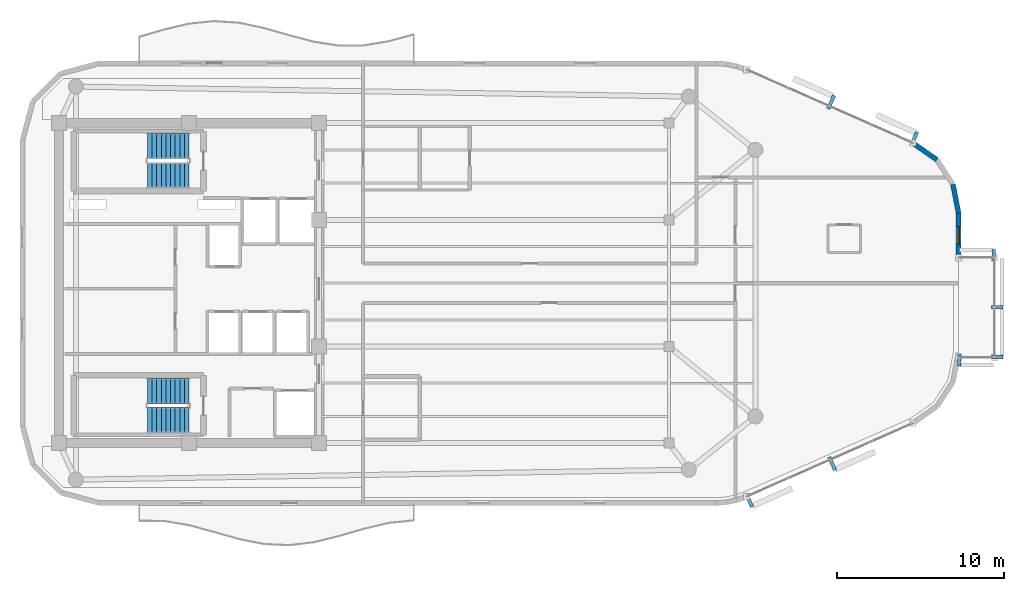
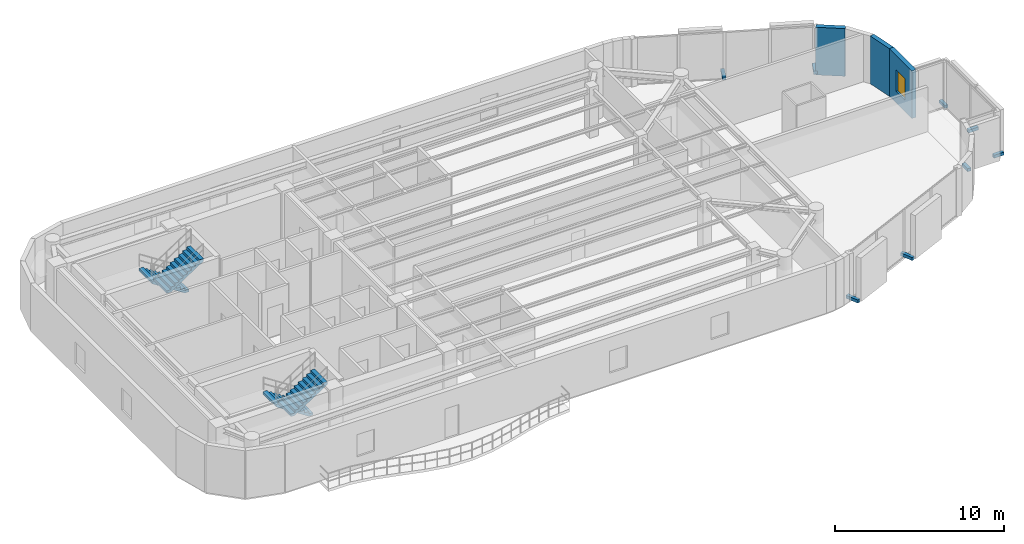
# One storey, part 11 of 13: 8 discrete accessories, 4 stair flights, 3 walls, 1 window, 1 opening, 2 elements without a shape of their own.
"""IFC4 building model written with IfcOpenShell, lengths in metres."""

from ifc_helpers import new_model, si_unit, direction, frame, frame_2d, origin, origin_2d, place, context, subcontext, project, spatial, polyline, rectangle, outline, extrude, material, layer, layer_set, type_object, element, fill, aggregate, save


model = new_model("IFC4")

# Units and contexts
model_context = context("Model", 3, precision=1e-05, world=origin(), true_north=direction((0.0, 1.0)))
body_context = subcontext(model_context, "Body", "Model", "MODEL_VIEW")
ifc_project = project(units=[si_unit("LENGTHUNIT", "METRE"), si_unit("AREAUNIT", "SQUARE_METRE"), si_unit("VOLUMEUNIT", "CUBIC_METRE"), si_unit("PLANEANGLEUNIT", "RADIAN"), si_unit("MASSUNIT", "GRAM", prefix="KILO")], contexts=[model_context])

# Site, building, storey
site_placement = place(None, origin())
site = spatial("IfcSite", under=ifc_project, at=site_placement, CompositionType="ELEMENT")
building_placement = place(site_placement, origin())
building = spatial("IfcBuilding", under=site, at=building_placement, Name="An Khanh Terracotta Commons", CompositionType="ELEMENT")
storey_placement = place(building_placement, frame((0.0, 0.0, 288.0)))
storey = spatial("IfcBuildingStorey", under=building, at=storey_placement, Name="L75", CompositionType="ELEMENT", Elevation=288.0)

# Wall, opening, window
ifc_material_1 = material(Name="Precast concrete C40/50", Category="concrete")
ifc_layer = layer(ifc_material_1, 0.300048828125, Name="Precast concrete C40/50")
ifc_layer_set = layer_set([ifc_layer], Name="Precast concrete C40/50")
wall_type = type_object("IfcWallType", Name="WALL-EXT-300", PredefinedType="SOLIDWALL", material=ifc_layer_set)
wall_1_placement = place(storey_placement, frame((75.60009765625, 25.530029296875, 0.0), z_axis=(0.0, 0.0, 1.0), x_axis=(0.0, 1.0, 0.0)))
wall_1 = element("IfcWall", 1, at=wall_1_placement, inside=storey, type_object=wall_type, Name="L75 East Nose Wall North", PredefinedType="SOLIDWALL", context=body_context, shape_type="SweptSolid", body=[
    extrude(rectangle(XDim=2.671875, YDim=0.300048828125, at=frame_2d((1.3359375, 0.0))), origin(), (0.0, 0.0, 1.0), 3.449951171875),
])
opening_placement = place(wall_1_placement, frame((0.81103515625, 0.0, 0.85009765625)))
opening = element("IfcOpeningElement", 2, at=opening_placement, cuts=wall_1, Name="Opening W-06", PredefinedType="OPENING", context=body_context, shape_type="SweptSolid", body=[
    extrude(rectangle(XDim=1.050048828125, YDim=1.550048828125, at=frame_2d((0.52490234375, 0.77490234375))), frame((0.0, 0.159912109375, 0.0), z_axis=(0.0, -1.0, 0.0), x_axis=(1.0, 0.0, 0.0)), (0.0, 0.0, 1.0), 0.320068359375),
])
ifc_material_2 = material(Name="Thermally Broken Aluminium and Low-E Glass", Category="aluminium")
window_type = type_object("IfcWindowType", Name="WIN-COR-1050x1550", PartitioningType="SINGLE_PANEL", PredefinedType="WINDOW", material=ifc_material_2)
window_placement = place(opening_placement, origin())
window = element("IfcWindow", 3, at=window_placement, inside=storey, type_object=window_type, Name="L75 East Nose North Casement Window", OverallHeight=1.550048828125, OverallWidth=1.050048828125, PartitioningType="SINGLE_PANEL", PredefinedType="WINDOW", context=body_context, shape_type="SweptSolid", body=[
    extrude(rectangle(XDim=1.050048828125, YDim=1.550048828125, at=frame_2d((0.52490234375, 0.77490234375))), frame((0.0, 0.030029296875, 0.0), z_axis=(0.0, -1.0, 0.0), x_axis=(1.0, 0.0, 0.0)), (0.0, 0.0, 1.0), 0.06005859375),
])
fill(opening, window)

# Walls
wall_2_placement = place(storey_placement, frame((75.60009765625, 28.201904296875, 0.0), z_axis=(0.0, 0.0, 1.0), x_axis=(-0.1915005851, 0.981492499159, 0.0)))
element("IfcWall", 4, at=wall_2_placement, inside=storey, type_object=wall_type, Name="L75 Insulated Terracotta Exterior Wall 13", PredefinedType="SOLIDWALL", context=body_context, shape_type="SweptSolid", body=[
    extrude(rectangle(XDim=1.760498046875, YDim=0.300048828125, at=frame_2d((0.88037109375, 0.0))), origin(), (0.0, 0.0, 1.0), 3.449951171875),
])
wall_3_placement = place(storey_placement, frame((74.302001953125, 31.405029296875, 0.0), z_axis=(0.0, 0.0, 1.0), x_axis=(-0.821006966142, 0.570918174124, 0.0)))
element("IfcWall", 5, at=wall_3_placement, inside=storey, type_object=wall_type, Name="L75 Insulated Terracotta Exterior Wall 15", PredefinedType="SOLIDWALL", context=body_context, shape_type="SweptSolid", body=[
    extrude(rectangle(XDim=1.760009765625, YDim=0.300048828125, at=frame_2d((0.8798828125, 0.0))), origin(), (0.0, 0.0, 1.0), 3.449951171875),
])

# Stair, stair flights
stair_type = type_object("IfcStairType", Name="STAIR-CORE-1550", PredefinedType="HALF_TURN_STAIR", material=ifc_material_1)
stair_1_placement = place(storey_placement, origin())
stair_1 = element("IfcStair", 6, at=stair_1_placement, inside=storey, type_object=stair_type, Name="L75 Core Smokeproof Exit Stair ST-01", PredefinedType="HALF_TURN_STAIR")
stair_flight_type = type_object("IfcStairFlightType", Name="FLIGHT-CORE-1550", PredefinedType="STRAIGHT", material=ifc_material_1)
stair_flight_1_placement = place(storey_placement, frame((29.409912109375, 32.22509765625, 0.0), z_axis=(0.0, 0.0, 1.0), x_axis=(-1.0, 0.0, 0.0)))
stair_flight_1 = element("IfcStairFlight", 7, at=stair_flight_1_placement, type_object=stair_flight_type, Name="ST-01 flight 1", NumberOfRisers=10, NumberOfTreads=9, PredefinedType="STRAIGHT", RiserHeight=0.1825, TreadLength=0.28, context=body_context, shape_type="SweptSolid", body=[
    extrude(outline(polyline([(0.0, 0.0), (0.0, 0.1826171875), (0.280029296875, 0.1826171875), (0.280029296875, 0.364990234375), (0.56005859375, 0.364990234375), (0.56005859375, 0.547607421875), (0.840087890625, 0.547607421875), (0.840087890625, 0.72998046875), (1.1201171875, 0.72998046875), (1.1201171875, 0.91259765625), (1.39990234375, 0.91259765625), (1.39990234375, 1.094970703125), (1.679931640625, 1.094970703125), (1.679931640625, 1.277587890625), (1.9599609375, 1.277587890625), (1.9599609375, 1.4599609375), (2.239990234375, 1.4599609375), (2.239990234375, 1.642578125), (2.52001953125, 1.642578125), (2.52001953125, 1.824951171875), (2.52001953125, 1.463623046875), (0.2744140625, 0.0), (0.0, 0.0)])), frame((0.0, 0.77490234375, 0.0), z_axis=(0.0, -1.0, 0.0), x_axis=(1.0, 0.0, 0.0)), (0.0, 0.0, 1.0), 1.550048828125),
])
stair_flight_2_placement = place(storey_placement, frame((26.889892578125, 30.47509765625, 1.824951171875), z_axis=(0.0, 0.0, 1.0), x_axis=(1.0, 0.0, 0.0)))
stair_flight_2 = element("IfcStairFlight", 8, at=stair_flight_2_placement, type_object=stair_flight_type, Name="ST-01 flight 2", NumberOfRisers=10, NumberOfTreads=9, PredefinedType="STRAIGHT", RiserHeight=0.1825, TreadLength=0.28, context=body_context, shape_type="SweptSolid", body=[
    extrude(outline(polyline([(0.0, 0.0), (0.0, 0.1826171875), (0.280029296875, 0.1826171875), (0.280029296875, 0.364990234375), (0.56005859375, 0.364990234375), (0.56005859375, 0.547607421875), (0.840087890625, 0.547607421875), (0.840087890625, 0.72998046875), (1.1201171875, 0.72998046875), (1.1201171875, 0.91259765625), (1.39990234375, 0.91259765625), (1.39990234375, 1.094970703125), (1.679931640625, 1.094970703125), (1.679931640625, 1.277587890625), (1.9599609375, 1.277587890625), (1.9599609375, 1.4599609375), (2.239990234375, 1.4599609375), (2.239990234375, 1.642578125), (2.52001953125, 1.642578125), (2.52001953125, 1.824951171875), (2.52001953125, 1.463623046875), (0.2744140625, 0.0), (0.0, 0.0)])), frame((0.0, 0.77490234375, 0.0), z_axis=(0.0, -1.0, 0.0), x_axis=(1.0, 0.0, 0.0)), (0.0, 0.0, 1.0), 1.550048828125),
])
aggregate(stair_1, [stair_flight_1, stair_flight_2])

stair_2_placement = place(storey_placement, origin())
stair_2 = element("IfcStair", 9, at=stair_2_placement, inside=storey, type_object=stair_type, Name="L75 Core Smokeproof Exit Stair ST-02", PredefinedType="HALF_TURN_STAIR")
stair_flight_3_placement = place(storey_placement, frame((29.409912109375, 17.52490234375, 0.0), z_axis=(0.0, 0.0, 1.0), x_axis=(-1.0, 0.0, 0.0)))
stair_flight_3 = element("IfcStairFlight", 10, at=stair_flight_3_placement, type_object=stair_flight_type, Name="ST-02 flight 1", NumberOfRisers=10, NumberOfTreads=9, PredefinedType="STRAIGHT", RiserHeight=0.1825, TreadLength=0.28, context=body_context, shape_type="SweptSolid", body=[
    extrude(outline(polyline([(0.0, 0.0), (0.0, 0.1826171875), (0.280029296875, 0.1826171875), (0.280029296875, 0.364990234375), (0.56005859375, 0.364990234375), (0.56005859375, 0.547607421875), (0.840087890625, 0.547607421875), (0.840087890625, 0.72998046875), (1.1201171875, 0.72998046875), (1.1201171875, 0.91259765625), (1.39990234375, 0.91259765625), (1.39990234375, 1.094970703125), (1.679931640625, 1.094970703125), (1.679931640625, 1.277587890625), (1.9599609375, 1.277587890625), (1.9599609375, 1.4599609375), (2.239990234375, 1.4599609375), (2.239990234375, 1.642578125), (2.52001953125, 1.642578125), (2.52001953125, 1.824951171875), (2.52001953125, 1.463623046875), (0.2744140625, 0.0), (0.0, 0.0)])), frame((0.0, 0.77490234375, 0.0), z_axis=(0.0, -1.0, 0.0), x_axis=(1.0, 0.0, 0.0)), (0.0, 0.0, 1.0), 1.550048828125),
])
stair_flight_4_placement = place(storey_placement, frame((26.889892578125, 15.77490234375, 1.824951171875), z_axis=(0.0, 0.0, 1.0), x_axis=(1.0, 0.0, 0.0)))
stair_flight_4 = element("IfcStairFlight", 11, at=stair_flight_4_placement, type_object=stair_flight_type, Name="ST-02 flight 2", NumberOfRisers=10, NumberOfTreads=9, PredefinedType="STRAIGHT", RiserHeight=0.1825, TreadLength=0.28, context=body_context, shape_type="SweptSolid", body=[
    extrude(outline(polyline([(0.0, 0.0), (0.0, 0.1826171875), (0.280029296875, 0.1826171875), (0.280029296875, 0.364990234375), (0.56005859375, 0.364990234375), (0.56005859375, 0.547607421875), (0.840087890625, 0.547607421875), (0.840087890625, 0.72998046875), (1.1201171875, 0.72998046875), (1.1201171875, 0.91259765625), (1.39990234375, 0.91259765625), (1.39990234375, 1.094970703125), (1.679931640625, 1.094970703125), (1.679931640625, 1.277587890625), (1.9599609375, 1.277587890625), (1.9599609375, 1.4599609375), (2.239990234375, 1.4599609375), (2.239990234375, 1.642578125), (2.52001953125, 1.642578125), (2.52001953125, 1.824951171875), (2.52001953125, 1.463623046875), (0.2744140625, 0.0), (0.0, 0.0)])), frame((0.0, 0.77490234375, 0.0), z_axis=(0.0, -1.0, 0.0), x_axis=(1.0, 0.0, 0.0)), (0.0, 0.0, 1.0), 1.550048828125),
])
aggregate(stair_2, [stair_flight_3, stair_flight_4])

# Discrete accessories
ifc_material_3 = material(Name="Stainless Steel Grade 316L", Category="steel")
discrete_accessory_type = type_object("IfcDiscreteAccessoryType", Name="Stainless Outrigger Facade Bracket", PredefinedType="BRACKET", material=ifc_material_3)
for number, where, z_axis, x_axis, name in (
    (12, (63.02587890625, 10.962890625, 0.06982421875), (0.0, 0.0, 1.0), (0.914901853201, 0.403676354285, 0.0), "L75 Terracotta Screen Outrigger Bracket 1"),
    (13, (68.010986328125, 13.162109375, 0.06982421875), (0.0, 0.0, 1.0), (0.914901853201, 0.403676354285, 0.0), "L75 Terracotta Screen Outrigger Bracket 3"),
):
    element("IfcDiscreteAccessory", number, at=place(storey_placement, frame(where, z_axis=z_axis, x_axis=x_axis)), inside=storey, type_object=discrete_accessory_type, Name=name, PredefinedType="BRACKET", context=body_context, shape_type="SweptSolid", body=[
        extrude(rectangle(XDim=0.219970703125, YDim=0.8701171875, at=origin_2d()), origin(), (0.0, 0.0, 1.0), 0.219970703125),
    ])
for number, where, z_axis, x_axis, name in (
    (14, (77.9150390625, 19.56201171875, 0.06982421875), (0.0, 0.0, 1.0), (0.0, 1.0, 0.0), "L75 Terracotta Screen Outrigger Bracket 1"),
    (15, (77.9150390625, 22.56201171875, 0.06982421875), (0.0, 0.0, 1.0), (0.0, 1.0, 0.0), "L75 Terracotta Screen Outrigger Bracket 2"),
    (16, (75.632080078125, 19.364990234375, 0.06982421875), (0.0, 0.0, 1.0), (1.0, 0.0, 0.0), "L75 Terracotta Screen Outrigger Bracket 1"),
    (17, (77.718017578125, 25.695068359375, 0.06982421875), (0.0, 0.0, 1.0), (-1.0, 0.0, 0.0), "L75 Terracotta Screen Outrigger Bracket 1"),
):
    element("IfcDiscreteAccessory", number, at=place(storey_placement, frame(where, z_axis=z_axis, x_axis=x_axis)), inside=storey, type_object=discrete_accessory_type, Name=name, PredefinedType="BRACKET", context=body_context, shape_type="SweptSolid", body=[
        extrude(rectangle(XDim=0.219970703125, YDim=0.669921875, at=origin_2d()), origin(), (0.0, 0.0, 1.0), 0.219970703125),
    ])
for number, where, z_axis, x_axis, name in (
    (18, (72.931884765625, 32.6669921875, 0.06982421875), (0.0, 0.0, 1.0), (-0.914901853201, 0.403676354285, 0.0), "L75 Terracotta Screen Outrigger Bracket 1"),
    (19, (67.947021484375, 34.865966796875, 0.06982421875), (0.0, 0.0, 1.0), (-0.914901853201, 0.403676354285, 0.0), "L75 Terracotta Screen Outrigger Bracket 3"),
):
    element("IfcDiscreteAccessory", number, at=place(storey_placement, frame(where, z_axis=z_axis, x_axis=x_axis)), inside=storey, type_object=discrete_accessory_type, Name=name, PredefinedType="BRACKET", context=body_context, shape_type="SweptSolid", body=[
        extrude(rectangle(XDim=0.219970703125, YDim=0.8701171875, at=origin_2d()), origin(), (0.0, 0.0, 1.0), 0.219970703125),
    ])

save(model, "model.ifc")
